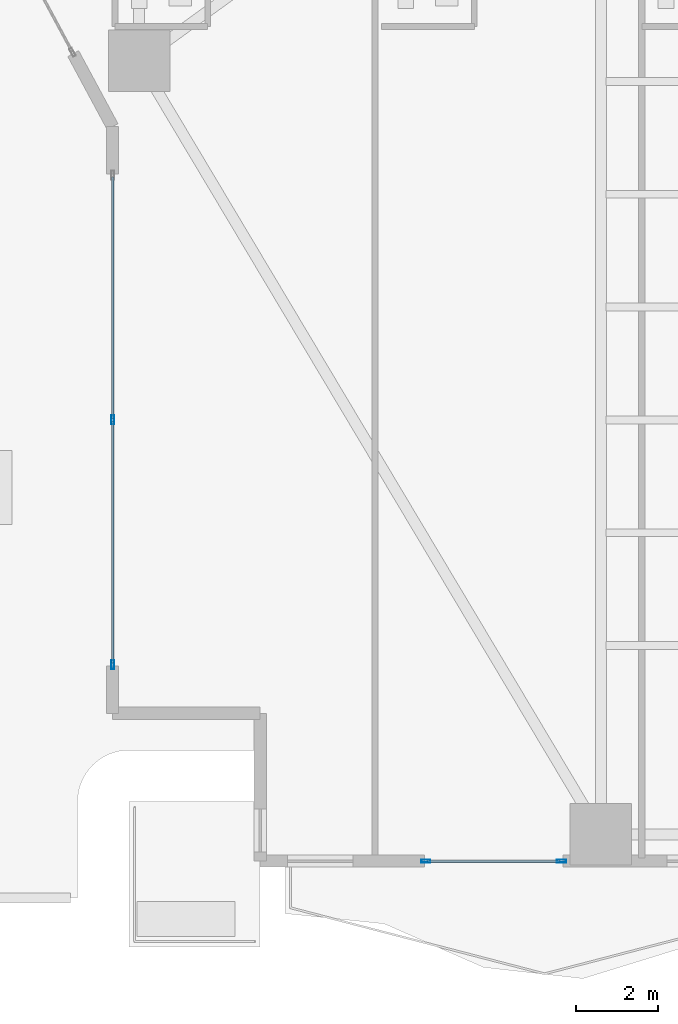
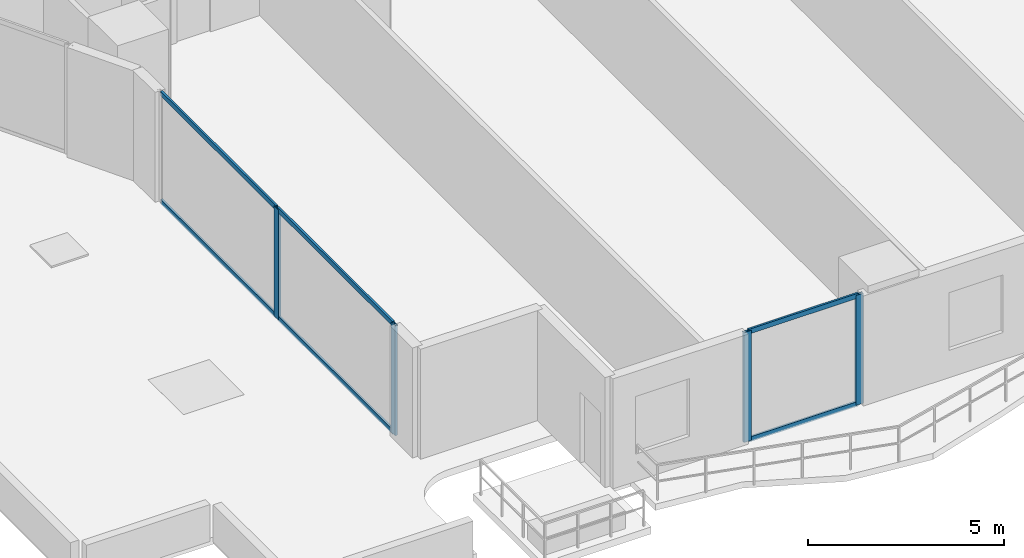
# One storey, part 2 of 30: 10 members, 2 elements without a shape of their own.
"""IFC4 building model written with IfcOpenShell, lengths in metres."""

from ifc_helpers import new_model, si_unit, direction, frame, origin, origin_2d, place, context, subcontext, project, spatial, hollow_rectangle, extrude, material, layer, layer_set, material_profile, profile_set, type_object, element, aggregate, save


model = new_model("IFC4")

# Units and contexts
model_context = context("Model", 3, precision=1e-05, world=origin(), true_north=direction((0.0, 1.0)))
body_context = subcontext(model_context, "Body", "Model", "MODEL_VIEW")
ifc_project = project(units=[si_unit("LENGTHUNIT", "METRE"), si_unit("AREAUNIT", "SQUARE_METRE"), si_unit("VOLUMEUNIT", "CUBIC_METRE"), si_unit("PLANEANGLEUNIT", "RADIAN"), si_unit("MASSUNIT", "GRAM", prefix="KILO")], contexts=[model_context])

# Site, building, storey
site_placement = place(None, origin())
site = spatial("IfcSite", under=ifc_project, at=site_placement, CompositionType="ELEMENT")
building_placement = place(site_placement, origin())
building = spatial("IfcBuilding", under=site, at=building_placement, Name="Zuhayl Quay Hotel", CompositionType="ELEMENT")
storey_placement = place(building_placement, frame((0.0, 0.0, 27.60009765625)))
storey = spatial("IfcBuildingStorey", under=building, at=storey_placement, Name="L05", CompositionType="ELEMENT", Elevation=27.60009765625)

# Curtain wall, members
ifc_material_1 = material(Name="Anodised Aluminium 6063-T6", Category="aluminium")
ifc_layer = layer(ifc_material_1, 0.18994140625, Name="Anodised Aluminium 6063-T6", Category="aluminium")
ifc_layer_set = layer_set([ifc_layer], Name="Anodised Aluminium 6063-T6")
curtain_wall_type = type_object("IfcCurtainWallType", Name="CW_SYS_Z1", PredefinedType="USERDEFINED", material=ifc_layer_set)
curtain_wall_1_placement = place(storey_placement, origin())
curtain_wall_1 = element("IfcCurtainWall", 1, at=curtain_wall_1_placement, inside=storey, type_object=curtain_wall_type, Name="L05 Curtain Wall ENV_L05_E02_CW1", ObjectType="UNITISED CURTAIN WALL", PredefinedType="USERDEFINED")
ifc_material_2 = material(Name="Black-anodised aluminium 6063-T6", Category="aluminium")
ifc_material_profile_1 = material_profile(ifc_material_2, hollow_rectangle(XDim=0.074951171875, YDim=0.219970703125, WallThickness=0.00390625, at=origin_2d()), Name="ALU220X75")
ifc_profile_set_1 = profile_set([ifc_material_profile_1], Name="Black-anodised aluminium 6063-T6")
member_type_1 = type_object("IfcMemberType", Name="MB_CW_MUL_220", PredefinedType="MULLION", material=ifc_profile_set_1)
member_1_placement = place(storey_placement, frame((-25.699951171875, -18.3125, 0.0), z_axis=(0.0, 0.0, 1.0), x_axis=(-1.0, 0.0, 0.0)))
member_1 = element("IfcMember", 2, at=member_1_placement, type_object=member_type_1, Name="CW-Z1 mullion 1", PredefinedType="MULLION", context=body_context, shape_type="SweptSolid", body=[
    extrude(hollow_rectangle(XDim=0.074951171875, YDim=0.219970703125, WallThickness=0.00390625, at=origin_2d()), origin(), (0.0, 0.0, 1.0), 3.429931640625),
])
member_2_placement = place(storey_placement, frame((-25.699951171875, -12.35009765625, 0.0), z_axis=(0.0, 0.0, 1.0), x_axis=(-1.0, 0.0, 0.0)))
member_2 = element("IfcMember", 3, at=member_2_placement, type_object=member_type_1, Name="CW-Z1 mullion 2", PredefinedType="MULLION", context=body_context, shape_type="SweptSolid", body=[
    extrude(hollow_rectangle(XDim=0.074951171875, YDim=0.219970703125, WallThickness=0.00390625, at=origin_2d()), origin(), (0.0, 0.0, 1.0), 3.429931640625),
])

curtain_wall_2_placement = place(storey_placement, origin())
curtain_wall_2 = element("IfcCurtainWall", 4, at=curtain_wall_2_placement, inside=storey, type_object=curtain_wall_type, Name="L05 Curtain Wall ENV_L05_S_CW5", ObjectType="UNITISED CURTAIN WALL", PredefinedType="USERDEFINED")
member_3_placement = place(storey_placement, frame((-14.757568359375, -23.10009765625, 0.0), z_axis=(0.0, 0.0, 1.0), x_axis=(0.0, -1.0, 0.0)))
member_3 = element("IfcMember", 5, at=member_3_placement, type_object=member_type_1, Name="CW-Z1 mullion 1", PredefinedType="MULLION", context=body_context, shape_type="SweptSolid", body=[
    extrude(hollow_rectangle(XDim=0.074951171875, YDim=0.219970703125, WallThickness=0.00390625, at=origin_2d()), origin(), (0.0, 0.0, 1.0), 3.429931640625),
])
member_4_placement = place(storey_placement, frame((-18.0625, -23.10009765625, 0.0), z_axis=(0.0, 0.0, 1.0), x_axis=(0.0, -1.0, 0.0)))
member_4 = element("IfcMember", 6, at=member_4_placement, type_object=member_type_1, Name="CW-Z1 mullion 2", PredefinedType="MULLION", context=body_context, shape_type="SweptSolid", body=[
    extrude(hollow_rectangle(XDim=0.074951171875, YDim=0.219970703125, WallThickness=0.00390625, at=origin_2d()), origin(), (0.0, 0.0, 1.0), 3.429931640625),
])

# Member
ifc_material_profile_2 = material_profile(ifc_material_2, hollow_rectangle(XDim=0.06005859375, YDim=0.14990234375, WallThickness=0.00341796875, at=origin_2d()), Name="ALU150X60")
ifc_profile_set_2 = profile_set([ifc_material_profile_2], Name="Black-anodised aluminium 6063-T6")
member_type_2 = type_object("IfcMemberType", Name="MB_CW_TRN_150", PredefinedType="USERDEFINED", material=ifc_profile_set_2)
member_5_placement = place(storey_placement, frame((-25.699951171875, -18.27490234375, 0.02978515625), z_axis=(0.0, 1.0, 0.0), x_axis=(-1.0, 0.0, 0.0)))
member_5 = element("IfcMember", 7, at=member_5_placement, type_object=member_type_2, Name="CW-Z1 transom 1.1", ObjectType="TRANSOM", PredefinedType="USERDEFINED", context=body_context, shape_type="SweptSolid", body=[
    extrude(hollow_rectangle(XDim=0.06005859375, YDim=0.14990234375, WallThickness=0.00341796875, at=origin_2d()), origin(), (0.0, 0.0, 1.0), 5.887451171875),
])

member_6_placement = place(storey_placement, frame((-25.699951171875, -18.27490234375, 3.39990234375), z_axis=(0.0, 1.0, 0.0), x_axis=(-1.0, 0.0, 0.0)))
member_6 = element("IfcMember", 8, at=member_6_placement, type_object=member_type_2, Name="CW-Z1 transom 1.2", ObjectType="TRANSOM", PredefinedType="USERDEFINED", context=body_context, shape_type="SweptSolid", body=[
    extrude(hollow_rectangle(XDim=0.06005859375, YDim=0.14990234375, WallThickness=0.00341796875, at=origin_2d()), origin(), (0.0, 0.0, 1.0), 5.887451171875),
])

member_7_placement = place(storey_placement, frame((-25.699951171875, -12.3125, 0.02978515625), z_axis=(0.0, 1.0, 0.0), x_axis=(-1.0, 0.0, 0.0)))
member_7 = element("IfcMember", 9, at=member_7_placement, type_object=member_type_2, Name="CW-Z1 transom 2.1", ObjectType="TRANSOM", PredefinedType="USERDEFINED", context=body_context, shape_type="SweptSolid", body=[
    extrude(hollow_rectangle(XDim=0.06005859375, YDim=0.14990234375, WallThickness=0.00341796875, at=origin_2d()), origin(), (0.0, 0.0, 1.0), 5.887451171875),
])

member_8_placement = place(storey_placement, frame((-25.699951171875, -12.3125, 3.39990234375), z_axis=(0.0, 1.0, 0.0), x_axis=(-1.0, 0.0, 0.0)))
member_8 = element("IfcMember", 10, at=member_8_placement, type_object=member_type_2, Name="CW-Z1 transom 2.2", ObjectType="TRANSOM", PredefinedType="USERDEFINED", context=body_context, shape_type="SweptSolid", body=[
    extrude(hollow_rectangle(XDim=0.06005859375, YDim=0.14990234375, WallThickness=0.00341796875, at=origin_2d()), origin(), (0.0, 0.0, 1.0), 5.887451171875),
])

aggregate(curtain_wall_1, [member_1, member_2, member_5, member_6, member_7, member_8])

member_9_placement = place(storey_placement, frame((-14.794921875, -23.10009765625, 0.02978515625), z_axis=(-1.0, 0.0, 0.0), x_axis=(0.0, -1.0, 0.0)))
member_9 = element("IfcMember", 11, at=member_9_placement, type_object=member_type_2, Name="CW-Z1 transom 1.1", ObjectType="TRANSOM", PredefinedType="USERDEFINED", context=body_context, shape_type="SweptSolid", body=[
    extrude(hollow_rectangle(XDim=0.06005859375, YDim=0.14990234375, WallThickness=0.00341796875, at=origin_2d()), origin(), (0.0, 0.0, 1.0), 3.22998046875),
])

member_10_placement = place(storey_placement, frame((-14.794921875, -23.10009765625, 3.39990234375), z_axis=(-1.0, 0.0, 0.0), x_axis=(0.0, -1.0, 0.0)))
member_10 = element("IfcMember", 12, at=member_10_placement, type_object=member_type_2, Name="CW-Z1 transom 1.2", ObjectType="TRANSOM", PredefinedType="USERDEFINED", context=body_context, shape_type="SweptSolid", body=[
    extrude(hollow_rectangle(XDim=0.06005859375, YDim=0.14990234375, WallThickness=0.00341796875, at=origin_2d()), origin(), (0.0, 0.0, 1.0), 3.22998046875),
])

aggregate(curtain_wall_2, [member_3, member_4, member_9, member_10])

save(model, "model.ifc")
